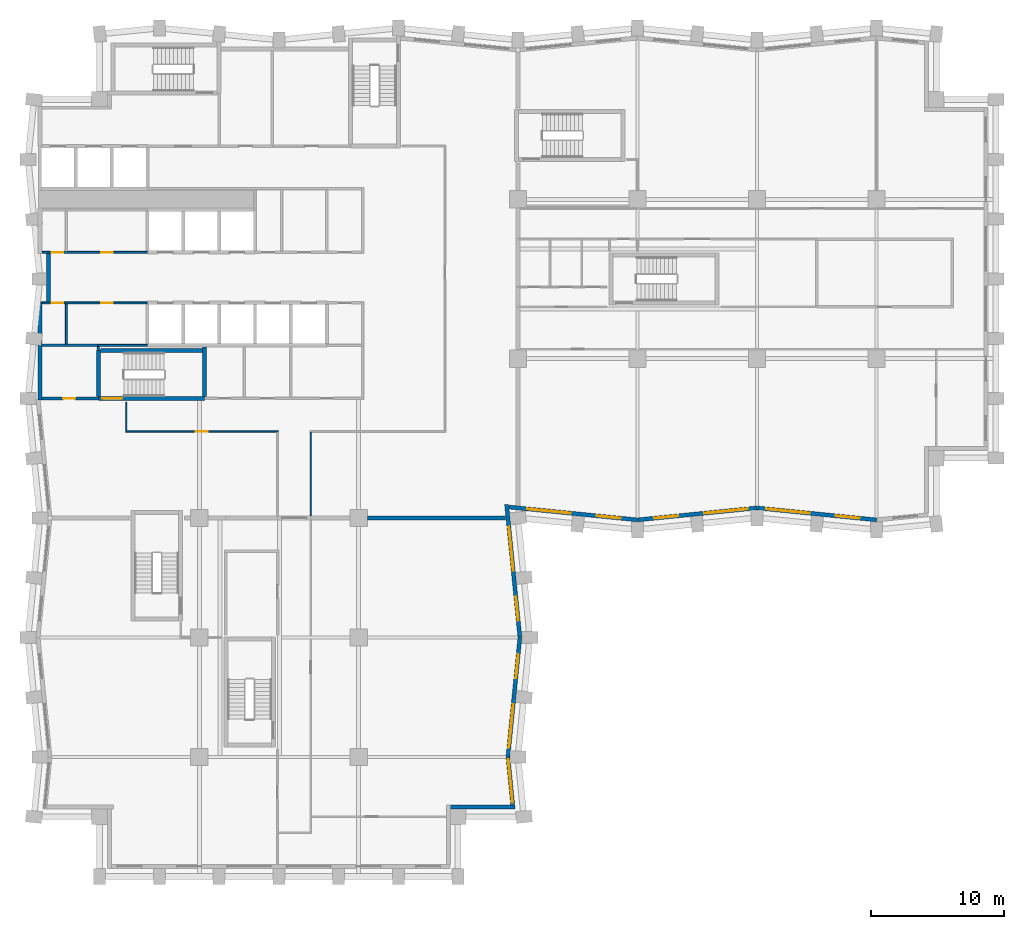
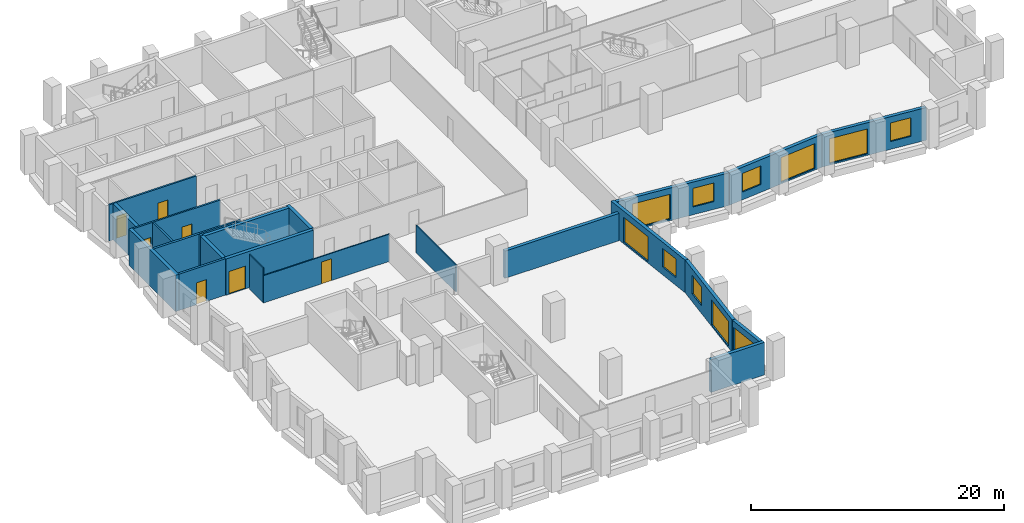
# One storey, part 4 of 11: 24 walls, 11 windows, 7 doors, 18 openings.
"""IFC4 building model written with IfcOpenShell, lengths in metres."""

from ifc_helpers import new_model, si_unit, direction, frame, frame_2d, origin, place, context, subcontext, project, spatial, rectangle, extrude, material, layer, layer_set, type_object, element, fill, save


model = new_model("IFC4")

# Units and contexts
model_context = context("Model", 3, precision=1e-05, world=origin(), true_north=direction((0.0, 1.0)))
body_context = subcontext(model_context, "Body", "Model", "MODEL_VIEW")
ifc_project = project(units=[si_unit("LENGTHUNIT", "METRE"), si_unit("AREAUNIT", "SQUARE_METRE"), si_unit("VOLUMEUNIT", "CUBIC_METRE"), si_unit("PLANEANGLEUNIT", "RADIAN"), si_unit("MASSUNIT", "GRAM", prefix="KILO")], contexts=[model_context])

# Site, building, storey
site_placement = place(None, origin())
site = spatial("IfcSite", under=ifc_project, at=site_placement, CompositionType="ELEMENT")
building_placement = place(site_placement, origin())
building = spatial("IfcBuilding", under=site, at=building_placement, Name="Brondeck Convention Tower", CompositionType="ELEMENT")
storey_placement = place(building_placement, frame((0.0, 0.0, 130.300048828125)))
storey = spatial("IfcBuildingStorey", under=building, at=storey_placement, Name="L31", CompositionType="ELEMENT", Elevation=130.300048828125)

# Walls
ifc_material_1 = material(Name="Concrete compartment wall C30/37", Category="concrete")
ifc_layer_1 = layer(ifc_material_1, 0.300048828125)
ifc_layer_set_1 = layer_set([ifc_layer_1], Name="Compartment wall 300")
wall_type_1 = type_object("IfcWallType", Name="Compartment wall 300", PredefinedType="PARTITIONING", material=ifc_layer_set_1)
wall_1_placement = place(storey_placement, frame((24.655029296875, 27.0, 0.0), z_axis=(0.0, 0.0, 1.0), x_axis=(1.0, 0.0, 0.0)))
element("IfcWall", 1, at=wall_1_placement, inside=storey, type_object=wall_type_1, Name="FLR-L31-W019", PredefinedType="PARTITIONING", context=body_context, shape_type="SweptSolid", body=[
    extrude(rectangle(XDim=10.42041015625, YDim=0.300048828125, at=frame_2d((5.210205078125, 0.0))), origin(), (0.0, 0.0, 1.0), 2.6298828125),
])
ifc_material_2 = material(Name="Concrete C70/85", Category="concrete")
ifc_layer_2 = layer(ifc_material_2, 0.300048828125)
ifc_layer_set_2 = layer_set([ifc_layer_2], Name="Core outer wall 300 Concrete C70/85")
wall_type_2 = type_object("IfcWallType", Name="Core outer wall 300 Concrete C70/85", PredefinedType="SHEAR", material=ifc_layer_set_2)
wall_2_placement = place(storey_placement, frame((0.0, 35.89990234375, 0.0), z_axis=(0.0, 0.0, 1.0), x_axis=(0.0, 1.0, 0.0)))
element("IfcWall", 2, at=wall_2_placement, inside=storey, type_object=wall_type_2, Name="L31 core wall", PredefinedType="SHEAR", context=body_context, shape_type="SweptSolid", body=[
    extrude(rectangle(XDim=7.375, YDim=0.300048828125, at=frame_2d((3.6875, 0.0))), origin(), (0.0, 0.0, 1.0), 3.5),
])
wall_3_placement = place(storey_placement, frame((0.64990234375, 43.27490234375, 0.0), z_axis=(0.0, 0.0, 1.0), x_axis=(0.0, 1.0, 0.0)))
element("IfcWall", 3, at=wall_3_placement, inside=storey, type_object=wall_type_2, Name="L31 core wall", PredefinedType="SHEAR", context=body_context, shape_type="SweptSolid", body=[
    extrude(rectangle(XDim=3.650146484375, YDim=0.300048828125, at=frame_2d((1.8251953125, 0.0))), origin(), (0.0, 0.0, 1.0), 3.5),
])
ifc_material_3 = material(Name="Fire-rated gypsum board partition")
ifc_layer_3 = layer(ifc_material_3, 0.14990234375)
ifc_layer_set_3 = layer_set([ifc_layer_3], Name="Core partition 150 EI 60")
wall_type_3 = type_object("IfcWallType", Name="Core partition 150 EI 60", PredefinedType="PARTITIONING", material=ifc_layer_set_3)
wall_4_placement = place(storey_placement, frame((4.39990234375, 40.0, 0.0), z_axis=(0.0, 0.0, 1.0), x_axis=(1.0, 0.0, 0.0)))
element("IfcWall", 4, at=wall_4_placement, inside=storey, type_object=wall_type_3, Name="L31 core wall", PredefinedType="PARTITIONING", context=body_context, shape_type="SweptSolid", body=[
    extrude(rectangle(XDim=3.7001953125, YDim=0.14990234375, at=frame_2d((1.85009765625, 0.0))), origin(), (0.0, 0.0, 1.0), 3.5),
])

# Wall, openings, doors
wall_5_placement = place(storey_placement, frame((0.14990234375, 43.199951171875, 0.0), z_axis=(0.0, 0.0, 1.0), x_axis=(1.0, 0.0, 0.0)))
wall_5 = element("IfcWall", 5, at=wall_5_placement, inside=storey, type_object=wall_type_3, Name="L31 core wall", PredefinedType="PARTITIONING", context=body_context, shape_type="SweptSolid", body=[
    extrude(rectangle(XDim=7.9501953125, YDim=0.14990234375, at=frame_2d((3.97509765625, 0.0))), origin(), (0.0, 0.0, 1.0), 3.5),
])
opening_1_placement = place(wall_5_placement, frame((0.72509765625, 0.0, 0.0)))
opening_1 = element("IfcOpeningElement", 6, at=opening_1_placement, cuts=wall_5, Name="Opening C18-11", PredefinedType="OPENING", context=body_context, shape_type="SweptSolid", body=[
    extrude(rectangle(XDim=0.89990234375, YDim=2.10009765625, at=frame_2d((0.449951171875, 1.050048828125))), frame((0.0, 0.0849609375, 0.0), z_axis=(0.0, -1.0, 0.0), x_axis=(1.0, 0.0, 0.0)), (0.0, 0.0, 1.0), 0.169921875),
])
opening_2_placement = place(wall_5_placement, frame((4.449951171875, 0.0, 0.0)))
opening_2 = element("IfcOpeningElement", 7, at=opening_2_placement, cuts=wall_5, Name="Opening C18-12", PredefinedType="OPENING", context=body_context, shape_type="SweptSolid", body=[
    extrude(rectangle(XDim=0.89990234375, YDim=2.10009765625, at=frame_2d((0.449951171875, 1.050048828125))), frame((0.0, 0.0849609375, 0.0), z_axis=(0.0, -1.0, 0.0), x_axis=(1.0, 0.0, 0.0)), (0.0, 0.0, 1.0), 0.169921875),
])
ifc_material_4 = material(Name="Steel fire door", Category="steel")
door_type_1 = type_object("IfcDoorType", Name="Room door 900x2100 EI 60", OperationType="NOTDEFINED", PredefinedType="DOOR", material=ifc_material_4)
door_1_placement = place(opening_1_placement, origin())
door_1 = element("IfcDoor", 8, at=door_1_placement, inside=storey, type_object=door_type_1, Name="L31 Room door FZ-S-0-1", OperationType="SINGLE_SWING_LEFT", OverallHeight=2.10009765625, OverallWidth=0.89990234375, PredefinedType="DOOR", context=body_context, shape_type="SweptSolid", body=[
    extrude(rectangle(XDim=0.89990234375, YDim=2.10009765625, at=frame_2d((0.449951171875, 1.050048828125))), frame((0.0, 0.02490234375, 0.0), z_axis=(0.0, -1.0, 0.0), x_axis=(1.0, 0.0, 0.0)), (0.0, 0.0, 1.0), 0.050048828125),
])
fill(opening_1, door_1)
door_2_placement = place(opening_2_placement, origin())
door_2 = element("IfcDoor", 9, at=door_2_placement, inside=storey, type_object=door_type_1, Name="L31 Room door FZ-S-0-2", OperationType="SINGLE_SWING_RIGHT", OverallHeight=2.10009765625, OverallWidth=0.89990234375, PredefinedType="DOOR", context=body_context, shape_type="SweptSolid", body=[
    extrude(rectangle(XDim=0.89990234375, YDim=2.10009765625, at=frame_2d((0.449951171875, 1.050048828125))), frame((0.0, 0.02490234375, 0.0), z_axis=(0.0, -1.0, 0.0), x_axis=(1.0, 0.0, 0.0)), (0.0, 0.0, 1.0), 0.050048828125),
])
fill(opening_2, door_2)

wall_6_placement = place(storey_placement, frame((0.14990234375, 47.0, 0.0), z_axis=(0.0, 0.0, 1.0), x_axis=(1.0, 0.0, 0.0)))
wall_6 = element("IfcWall", 10, at=wall_6_placement, inside=storey, type_object=wall_type_3, Name="L31 core wall", PredefinedType="PARTITIONING", context=body_context, shape_type="SweptSolid", body=[
    extrude(rectangle(XDim=7.9501953125, YDim=0.14990234375, at=frame_2d((3.97509765625, 0.0))), origin(), (0.0, 0.0, 1.0), 3.5),
])
opening_3_placement = place(wall_6_placement, frame((0.72509765625, 0.0, 0.0)))
opening_3 = element("IfcOpeningElement", 11, at=opening_3_placement, cuts=wall_6, Name="Opening C18-07", PredefinedType="OPENING", context=body_context, shape_type="SweptSolid", body=[
    extrude(rectangle(XDim=0.89990234375, YDim=2.10009765625, at=frame_2d((0.449951171875, 1.050048828125))), frame((0.0, 0.0849609375, 0.0), z_axis=(0.0, -1.0, 0.0), x_axis=(1.0, 0.0, 0.0)), (0.0, 0.0, 1.0), 0.169921875),
])
opening_4_placement = place(wall_6_placement, frame((4.449951171875, 0.0, 0.0)))
opening_4 = element("IfcOpeningElement", 12, at=opening_4_placement, cuts=wall_6, Name="Opening C18-08", PredefinedType="OPENING", context=body_context, shape_type="SweptSolid", body=[
    extrude(rectangle(XDim=0.89990234375, YDim=2.10009765625, at=frame_2d((0.449951171875, 1.050048828125))), frame((0.0, 0.0849609375, 0.0), z_axis=(0.0, -1.0, 0.0), x_axis=(1.0, 0.0, 0.0)), (0.0, 0.0, 1.0), 0.169921875),
])
door_3_placement = place(opening_3_placement, origin())
door_3 = element("IfcDoor", 13, at=door_3_placement, inside=storey, type_object=door_type_1, Name="L31 Room door FZ-N-0-1", OperationType="SINGLE_SWING_RIGHT", OverallHeight=2.10009765625, OverallWidth=0.89990234375, PredefinedType="DOOR", context=body_context, shape_type="SweptSolid", body=[
    extrude(rectangle(XDim=0.89990234375, YDim=2.10009765625, at=frame_2d((0.449951171875, 1.050048828125))), frame((0.0, 0.02490234375, 0.0), z_axis=(0.0, -1.0, 0.0), x_axis=(1.0, 0.0, 0.0)), (0.0, 0.0, 1.0), 0.050048828125),
])
fill(opening_3, door_3)
door_4_placement = place(opening_4_placement, origin())
door_4 = element("IfcDoor", 14, at=door_4_placement, inside=storey, type_object=door_type_1, Name="L31 Room door FZ-N-0-2", OperationType="SINGLE_SWING_LEFT", OverallHeight=2.10009765625, OverallWidth=0.89990234375, PredefinedType="DOOR", context=body_context, shape_type="SweptSolid", body=[
    extrude(rectangle(XDim=0.89990234375, YDim=2.10009765625, at=frame_2d((0.449951171875, 1.050048828125))), frame((0.0, 0.02490234375, 0.0), z_axis=(0.0, -1.0, 0.0), x_axis=(1.0, 0.0, 0.0)), (0.0, 0.0, 1.0), 0.050048828125),
])
fill(opening_4, door_4)

# Walls
wall_7_placement = place(storey_placement, frame((2.0, 40.10009765625, 0.0), z_axis=(0.0, 0.0, 1.0), x_axis=(0.0, 1.0, 0.0)))
element("IfcWall", 15, at=wall_7_placement, inside=storey, type_object=wall_type_3, Name="L31 core wall", PredefinedType="PARTITIONING", context=body_context, shape_type="SweptSolid", body=[
    extrude(rectangle(XDim=3.02490234375, YDim=0.14990234375, at=frame_2d((1.512451171875, 0.0))), origin(), (0.0, 0.0, 1.0), 3.5),
])
ifc_material_5 = material(Name="Precast concrete C50/60 bronze finish", Category="concrete")
ifc_layer_4 = layer(ifc_material_5, 0.070068359375, Name="Bronze precast facing")
ifc_material_6 = material(Name="Mineral wool")
ifc_layer_5 = layer(ifc_material_6, 0.159912109375, Name="Insulation")
ifc_material_7 = material(Name="Concrete C35/45", Category="concrete")
ifc_layer_6 = layer(ifc_material_7, 0.070068359375, Name="Backing")
ifc_layer_set_4 = layer_set([ifc_layer_4, ifc_layer_5, ifc_layer_6], Name="External infill wall, precast concrete C50/60 bronze facing")
wall_type_4 = type_object("IfcWallType", Name="External infill wall, precast concrete C50/60 bronze facing", PredefinedType="SOLIDWALL", material=ifc_layer_set_4)
wall_8_placement = place(storey_placement, frame((35.787109375, 5.25, 0.0), z_axis=(0.0, 0.0, 1.0), x_axis=(-1.0, 0.0, 0.0)))
element("IfcWall", 16, at=wall_8_placement, inside=storey, type_object=wall_type_4, Name="ENV-EW-L31-P0-NC-SEB0-02", PredefinedType="SOLIDWALL", context=body_context, shape_type="SweptSolid", body=[
    extrude(rectangle(XDim=4.88720703125, YDim=0.300048828125, at=frame_2d((2.443603515625, 0.0))), origin(), (0.0, 0.0, 1.0), 3.14990234375),
])

# Wall, opening, window
wall_9_placement = place(storey_placement, frame((35.244873046875, 9.014892578125, 0.0), z_axis=(0.0, 0.0, 1.0), x_axis=(0.099470401798, -0.995040521369, 0.0)))
wall_9 = element("IfcWall", 17, at=wall_9_placement, inside=storey, type_object=wall_type_4, Name="ENV-EW-L31-P0-B-E-04", PredefinedType="SOLIDWALL", context=body_context, shape_type="SweptSolid", body=[
    extrude(rectangle(XDim=3.627685546875, YDim=0.300048828125, at=frame_2d((1.81396484375, 0.0))), origin(), (0.0, 0.0, 1.0), 3.14990234375),
])
opening_5_placement = place(wall_9_placement, frame((0.177734375, 0.0, 0.14990234375)))
opening_5 = element("IfcOpeningElement", 18, at=opening_5_placement, cuts=wall_9, Name="Opening W9", PredefinedType="OPENING", context=body_context, shape_type="SweptSolid", body=[
    extrude(rectangle(XDim=3.300048828125, YDim=2.39990234375, at=frame_2d((1.64990234375, 1.199951171875))), frame((0.0, 0.159912109375, 0.0), z_axis=(0.0, -1.0, 0.0), x_axis=(1.0, 0.0, 0.0)), (0.0, 0.0, 1.0), 0.320068359375),
])
ifc_material_8 = material(Name="Bronze tinted double glazing", Category="glass")
window_type_1 = type_object("IfcWindowType", Name="Glazed flute window, bronze tinted", PartitioningType="SINGLE_PANEL", PredefinedType="WINDOW", material=ifc_material_8)
window_1_placement = place(opening_5_placement, origin())
window_1 = element("IfcWindow", 19, at=window_1_placement, inside=storey, type_object=window_type_1, Name="ENV-WN-L31-P0-B-E-04", OverallHeight=2.39990234375, OverallWidth=3.300048828125, PartitioningType="SINGLE_PANEL", PredefinedType="WINDOW", context=body_context, shape_type="SweptSolid", body=[
    extrude(rectangle(XDim=3.300048828125, YDim=2.39990234375, at=frame_2d((1.64990234375, 1.199951171875))), frame((0.0, 0.030029296875, 0.0), z_axis=(0.0, -1.0, 0.0), x_axis=(1.0, 0.0, 0.0)), (0.0, 0.0, 1.0), 0.06005859375),
])
fill(opening_5, window_1)

# Wall, openings, windows
wall_10_placement = place(storey_placement, frame((36.147705078125, 18.014892578125, 0.0), z_axis=(0.0, 0.0, 1.0), x_axis=(-0.099495688264, -0.995037993253, 0.0)))
wall_10 = element("IfcWall", 20, at=wall_10_placement, inside=storey, type_object=wall_type_4, Name="ENV-EW-L31-P0-B-E-03", PredefinedType="SOLIDWALL", context=body_context, shape_type="SweptSolid", body=[
    extrude(rectangle(XDim=9.030029296875, YDim=0.300048828125, at=frame_2d((4.51513671875, 0.0))), origin(), (0.0, 0.0, 1.0), 3.14990234375),
])
opening_6_placement = place(wall_10_placement, frame((1.30126953125, 0.0, 0.75)))
opening_6 = element("IfcOpeningElement", 21, at=opening_6_placement, cuts=wall_10, Name="Opening W10", PredefinedType="OPENING", context=body_context, shape_type="SweptSolid", body=[
    extrude(rectangle(XDim=1.800048828125, YDim=1.800048828125, at=frame_2d((0.89990234375, 0.89990234375))), frame((0.0, 0.159912109375, 0.0), z_axis=(0.0, -1.0, 0.0), x_axis=(1.0, 0.0, 0.0)), (0.0, 0.0, 1.0), 0.320068359375),
])
opening_7_placement = place(wall_10_placement, frame((5.073486328125, 0.0, 0.14990234375)))
opening_7 = element("IfcOpeningElement", 22, at=opening_7_placement, cuts=wall_10, Name="Opening W9", PredefinedType="OPENING", context=body_context, shape_type="SweptSolid", body=[
    extrude(rectangle(XDim=3.300048828125, YDim=2.39990234375, at=frame_2d((1.64990234375, 1.199951171875))), frame((0.0, 0.159912109375, 0.0), z_axis=(0.0, -1.0, 0.0), x_axis=(1.0, 0.0, 0.0)), (0.0, 0.0, 1.0), 0.320068359375),
])
window_2_placement = place(opening_7_placement, origin())
window_2 = element("IfcWindow", 23, at=window_2_placement, inside=storey, type_object=window_type_1, Name="ENV-WN-L31-P0-B-E-03", OverallHeight=2.39990234375, OverallWidth=3.300048828125, PartitioningType="SINGLE_PANEL", PredefinedType="WINDOW", context=body_context, shape_type="SweptSolid", body=[
    extrude(rectangle(XDim=3.300048828125, YDim=2.39990234375, at=frame_2d((1.64990234375, 1.199951171875))), frame((0.0, 0.030029296875, 0.0), z_axis=(0.0, -1.0, 0.0), x_axis=(1.0, 0.0, 0.0)), (0.0, 0.0, 1.0), 0.06005859375),
])
fill(opening_7, window_2)
window_type_2 = type_object("IfcWindowType", Name="Punched window, bronze tinted", PartitioningType="SINGLE_PANEL", PredefinedType="WINDOW", material=ifc_material_8)
window_3_placement = place(opening_6_placement, origin())
window_3 = element("IfcWindow", 24, at=window_3_placement, inside=storey, type_object=window_type_2, Name="ENV-WN-L31-P0-B-E-02", OverallHeight=1.800048828125, OverallWidth=1.800048828125, PartitioningType="SINGLE_PANEL", PredefinedType="WINDOW", context=body_context, shape_type="SweptSolid", body=[
    extrude(rectangle(XDim=1.800048828125, YDim=1.800048828125, at=frame_2d((0.89990234375, 0.89990234375))), frame((0.0, 0.030029296875, 0.0), z_axis=(0.0, -1.0, 0.0), x_axis=(1.0, 0.0, 0.0)), (0.0, 0.0, 1.0), 0.06005859375),
])
fill(opening_6, window_3)

wall_11_placement = place(storey_placement, frame((35.144287109375, 28.02001953125, 0.0), z_axis=(0.0, 0.0, 1.0), x_axis=(0.099503719021, -0.99503719021, 0.0)))
wall_11 = element("IfcWall", 25, at=wall_11_placement, inside=storey, type_object=wall_type_4, Name="ENV-EW-L31-P0-B-E-01", PredefinedType="SOLIDWALL", context=body_context, shape_type="SweptSolid", body=[
    extrude(rectangle(XDim=10.0400390625, YDim=0.300048828125, at=frame_2d((5.02001953125, 0.0))), origin(), (0.0, 0.0, 1.0), 3.14990234375),
])
opening_8_placement = place(wall_11_placement, frame((1.711181640625, 0.0, 0.14990234375)))
opening_8 = element("IfcOpeningElement", 26, at=opening_8_placement, cuts=wall_11, Name="Opening W9", PredefinedType="OPENING", context=body_context, shape_type="SweptSolid", body=[
    extrude(rectangle(XDim=3.300048828125, YDim=2.39990234375, at=frame_2d((1.64990234375, 1.199951171875))), frame((0.0, 0.159912109375, 0.0), z_axis=(0.0, -1.0, 0.0), x_axis=(1.0, 0.0, 0.0)), (0.0, 0.0, 1.0), 0.320068359375),
])
opening_9_placement = place(wall_11_placement, frame((6.983642578125, 0.0, 0.75)))
opening_9 = element("IfcOpeningElement", 27, at=opening_9_placement, cuts=wall_11, Name="Opening W10", PredefinedType="OPENING", context=body_context, shape_type="SweptSolid", body=[
    extrude(rectangle(XDim=1.800048828125, YDim=1.800048828125, at=frame_2d((0.89990234375, 0.89990234375))), frame((0.0, 0.159912109375, 0.0), z_axis=(0.0, -1.0, 0.0), x_axis=(1.0, 0.0, 0.0)), (0.0, 0.0, 1.0), 0.320068359375),
])
window_4_placement = place(opening_8_placement, origin())
window_4 = element("IfcWindow", 28, at=window_4_placement, inside=storey, type_object=window_type_1, Name="ENV-WN-L31-P0-B-E-00", OverallHeight=2.39990234375, OverallWidth=3.300048828125, PartitioningType="SINGLE_PANEL", PredefinedType="WINDOW", context=body_context, shape_type="SweptSolid", body=[
    extrude(rectangle(XDim=3.300048828125, YDim=2.39990234375, at=frame_2d((1.64990234375, 1.199951171875))), frame((0.0, 0.030029296875, 0.0), z_axis=(0.0, -1.0, 0.0), x_axis=(1.0, 0.0, 0.0)), (0.0, 0.0, 1.0), 0.06005859375),
])
fill(opening_8, window_4)
window_5_placement = place(opening_9_placement, origin())
window_5 = element("IfcWindow", 29, at=window_5_placement, inside=storey, type_object=window_type_2, Name="ENV-WN-L31-P0-B-E-01", OverallHeight=1.800048828125, OverallWidth=1.800048828125, PartitioningType="SINGLE_PANEL", PredefinedType="WINDOW", context=body_context, shape_type="SweptSolid", body=[
    extrude(rectangle(XDim=1.800048828125, YDim=1.800048828125, at=frame_2d((0.89990234375, 0.89990234375))), frame((0.0, 0.030029296875, 0.0), z_axis=(0.0, -1.0, 0.0), x_axis=(1.0, 0.0, 0.0)), (0.0, 0.0, 1.0), 0.06005859375),
])
fill(opening_9, window_5)

wall_12_placement = place(storey_placement, frame((45.014892578125, 26.852294921875, 0.0), z_axis=(0.0, 0.0, 1.0), x_axis=(-0.995037438546, 0.099501235631, 0.0)))
wall_12 = element("IfcWall", 30, at=wall_12_placement, inside=storey, type_object=wall_type_4, Name="ENV-EW-L31-P0-A-S-00", PredefinedType="SOLIDWALL", context=body_context, shape_type="SweptSolid", body=[
    extrude(rectangle(XDim=9.733642578125, YDim=0.300048828125, at=frame_2d((4.86669921875, 0.0))), origin(), (0.0, 0.0, 1.0), 3.14990234375),
])
opening_10_placement = place(wall_12_placement, frame((1.30126953125, 0.0, 0.75)))
opening_10 = element("IfcOpeningElement", 31, at=opening_10_placement, cuts=wall_12, Name="Opening W10", PredefinedType="OPENING", context=body_context, shape_type="SweptSolid", body=[
    extrude(rectangle(XDim=1.800048828125, YDim=1.800048828125, at=frame_2d((0.89990234375, 0.89990234375))), frame((0.0, 0.159912109375, 0.0), z_axis=(0.0, -1.0, 0.0), x_axis=(1.0, 0.0, 0.0)), (0.0, 0.0, 1.0), 0.320068359375),
])
opening_11_placement = place(wall_12_placement, frame((5.073486328125, 0.0, 0.14990234375)))
opening_11 = element("IfcOpeningElement", 32, at=opening_11_placement, cuts=wall_12, Name="Opening W9", PredefinedType="OPENING", context=body_context, shape_type="SweptSolid", body=[
    extrude(rectangle(XDim=3.300048828125, YDim=2.39990234375, at=frame_2d((1.64990234375, 1.199951171875))), frame((0.0, 0.159912109375, 0.0), z_axis=(0.0, -1.0, 0.0), x_axis=(1.0, 0.0, 0.0)), (0.0, 0.0, 1.0), 0.320068359375),
])
window_6_placement = place(opening_11_placement, origin())
window_6 = element("IfcWindow", 33, at=window_6_placement, inside=storey, type_object=window_type_1, Name="ENV-WN-L31-P0-A-S-00", OverallHeight=2.39990234375, OverallWidth=3.300048828125, PartitioningType="SINGLE_PANEL", PredefinedType="WINDOW", context=body_context, shape_type="SweptSolid", body=[
    extrude(rectangle(XDim=3.300048828125, YDim=2.39990234375, at=frame_2d((1.64990234375, 1.199951171875))), frame((0.0, 0.030029296875, 0.0), z_axis=(0.0, -1.0, 0.0), x_axis=(1.0, 0.0, 0.0)), (0.0, 0.0, 1.0), 0.06005859375),
])
fill(opening_11, window_6)
window_7_placement = place(opening_10_placement, origin())
window_7 = element("IfcWindow", 34, at=window_7_placement, inside=storey, type_object=window_type_2, Name="ENV-WN-L31-P0-A-S-01", OverallHeight=1.800048828125, OverallWidth=1.800048828125, PartitioningType="SINGLE_PANEL", PredefinedType="WINDOW", context=body_context, shape_type="SweptSolid", body=[
    extrude(rectangle(XDim=1.800048828125, YDim=1.800048828125, at=frame_2d((0.89990234375, 0.89990234375))), frame((0.0, 0.030029296875, 0.0), z_axis=(0.0, -1.0, 0.0), x_axis=(1.0, 0.0, 0.0)), (0.0, 0.0, 1.0), 0.06005859375),
])
fill(opening_10, window_7)

wall_13_placement = place(storey_placement, frame((54.014892578125, 27.755126953125, 0.0), z_axis=(0.0, 0.0, 1.0), x_axis=(-0.995037993253, -0.099495688264, 0.0)))
wall_13 = element("IfcWall", 35, at=wall_13_placement, inside=storey, type_object=wall_type_4, Name="ENV-EW-L31-P0-A-S-02", PredefinedType="SOLIDWALL", context=body_context, shape_type="SweptSolid", body=[
    extrude(rectangle(XDim=9.030029296875, YDim=0.300048828125, at=frame_2d((4.51513671875, 0.0))), origin(), (0.0, 0.0, 1.0), 3.14990234375),
])
opening_12_placement = place(wall_13_placement, frame((0.701171875, 0.0, 0.14990234375)))
opening_12 = element("IfcOpeningElement", 36, at=opening_12_placement, cuts=wall_13, Name="Opening W9", PredefinedType="OPENING", context=body_context, shape_type="SweptSolid", body=[
    extrude(rectangle(XDim=3.300048828125, YDim=2.39990234375, at=frame_2d((1.64990234375, 1.199951171875))), frame((0.0, 0.159912109375, 0.0), z_axis=(0.0, -1.0, 0.0), x_axis=(1.0, 0.0, 0.0)), (0.0, 0.0, 1.0), 0.320068359375),
])
opening_13_placement = place(wall_13_placement, frame((5.9736328125, 0.0, 0.75)))
opening_13 = element("IfcOpeningElement", 37, at=opening_13_placement, cuts=wall_13, Name="Opening W10", PredefinedType="OPENING", context=body_context, shape_type="SweptSolid", body=[
    extrude(rectangle(XDim=1.800048828125, YDim=1.800048828125, at=frame_2d((0.89990234375, 0.89990234375))), frame((0.0, 0.159912109375, 0.0), z_axis=(0.0, -1.0, 0.0), x_axis=(1.0, 0.0, 0.0)), (0.0, 0.0, 1.0), 0.320068359375),
])
window_8_placement = place(opening_12_placement, origin())
window_8 = element("IfcWindow", 38, at=window_8_placement, inside=storey, type_object=window_type_1, Name="ENV-WN-L31-P0-A-S-03", OverallHeight=2.39990234375, OverallWidth=3.300048828125, PartitioningType="SINGLE_PANEL", PredefinedType="WINDOW", context=body_context, shape_type="SweptSolid", body=[
    extrude(rectangle(XDim=3.300048828125, YDim=2.39990234375, at=frame_2d((1.64990234375, 1.199951171875))), frame((0.0, 0.030029296875, 0.0), z_axis=(0.0, -1.0, 0.0), x_axis=(1.0, 0.0, 0.0)), (0.0, 0.0, 1.0), 0.06005859375),
])
fill(opening_12, window_8)
window_9_placement = place(opening_13_placement, origin())
window_9 = element("IfcWindow", 39, at=window_9_placement, inside=storey, type_object=window_type_2, Name="ENV-WN-L31-P0-A-S-02", OverallHeight=1.800048828125, OverallWidth=1.800048828125, PartitioningType="SINGLE_PANEL", PredefinedType="WINDOW", context=body_context, shape_type="SweptSolid", body=[
    extrude(rectangle(XDim=1.800048828125, YDim=1.800048828125, at=frame_2d((0.89990234375, 0.89990234375))), frame((0.0, 0.030029296875, 0.0), z_axis=(0.0, -1.0, 0.0), x_axis=(1.0, 0.0, 0.0)), (0.0, 0.0, 1.0), 0.06005859375),
])
fill(opening_13, window_9)

wall_14_placement = place(storey_placement, frame((63.014892578125, 26.852294921875, 0.0), z_axis=(0.0, 0.0, 1.0), x_axis=(-0.995037993253, 0.099495688264, 0.0)))
wall_14 = element("IfcWall", 40, at=wall_14_placement, inside=storey, type_object=wall_type_4, Name="ENV-EW-L31-P0-A-S-04", PredefinedType="SOLIDWALL", context=body_context, shape_type="SweptSolid", body=[
    extrude(rectangle(XDim=9.030029296875, YDim=0.300048828125, at=frame_2d((4.51513671875, 0.0))), origin(), (0.0, 0.0, 1.0), 3.14990234375),
])
opening_14_placement = place(wall_14_placement, frame((1.30126953125, 0.0, 0.75)))
opening_14 = element("IfcOpeningElement", 41, at=opening_14_placement, cuts=wall_14, Name="Opening W10", PredefinedType="OPENING", context=body_context, shape_type="SweptSolid", body=[
    extrude(rectangle(XDim=1.800048828125, YDim=1.800048828125, at=frame_2d((0.89990234375, 0.89990234375))), frame((0.0, 0.159912109375, 0.0), z_axis=(0.0, -1.0, 0.0), x_axis=(1.0, 0.0, 0.0)), (0.0, 0.0, 1.0), 0.320068359375),
])
opening_15_placement = place(wall_14_placement, frame((5.073486328125, 0.0, 0.14990234375)))
opening_15 = element("IfcOpeningElement", 42, at=opening_15_placement, cuts=wall_14, Name="Opening W9", PredefinedType="OPENING", context=body_context, shape_type="SweptSolid", body=[
    extrude(rectangle(XDim=3.300048828125, YDim=2.39990234375, at=frame_2d((1.64990234375, 1.199951171875))), frame((0.0, 0.159912109375, 0.0), z_axis=(0.0, -1.0, 0.0), x_axis=(1.0, 0.0, 0.0)), (0.0, 0.0, 1.0), 0.320068359375),
])
window_10_placement = place(opening_15_placement, origin())
window_10 = element("IfcWindow", 43, at=window_10_placement, inside=storey, type_object=window_type_1, Name="ENV-WN-L31-P0-A-S-04", OverallHeight=2.39990234375, OverallWidth=3.300048828125, PartitioningType="SINGLE_PANEL", PredefinedType="WINDOW", context=body_context, shape_type="SweptSolid", body=[
    extrude(rectangle(XDim=3.300048828125, YDim=2.39990234375, at=frame_2d((1.64990234375, 1.199951171875))), frame((0.0, 0.030029296875, 0.0), z_axis=(0.0, -1.0, 0.0), x_axis=(1.0, 0.0, 0.0)), (0.0, 0.0, 1.0), 0.06005859375),
])
fill(opening_15, window_10)
window_11_placement = place(opening_14_placement, origin())
window_11 = element("IfcWindow", 44, at=window_11_placement, inside=storey, type_object=window_type_2, Name="ENV-WN-L31-P0-A-S-05", OverallHeight=1.800048828125, OverallWidth=1.800048828125, PartitioningType="SINGLE_PANEL", PredefinedType="WINDOW", context=body_context, shape_type="SweptSolid", body=[
    extrude(rectangle(XDim=1.800048828125, YDim=1.800048828125, at=frame_2d((0.89990234375, 0.89990234375))), frame((0.0, 0.030029296875, 0.0), z_axis=(0.0, -1.0, 0.0), x_axis=(1.0, 0.0, 0.0)), (0.0, 0.0, 1.0), 0.06005859375),
])
fill(opening_14, window_11)

# Wall, opening, door
ifc_layer_7 = layer(ifc_material_3, 0.199951171875)
ifc_layer_set_5 = layer_set([ifc_layer_7], Name="Riser wall 200 EI 120")
wall_type_5 = type_object("IfcWallType", Name="Riser wall 200 EI 120", PredefinedType="PARTITIONING", material=ifc_layer_set_5)
wall_15_placement = place(storey_placement, frame((0.14990234375, 36.0, 0.0), z_axis=(0.0, 0.0, 1.0), x_axis=(1.0, 0.0, 0.0)))
wall_15 = element("IfcWall", 45, at=wall_15_placement, inside=storey, type_object=wall_type_5, Name="L31 core wall", PredefinedType="PARTITIONING", context=body_context, shape_type="SweptSolid", body=[
    extrude(rectangle(XDim=4.25, YDim=0.199951171875, at=frame_2d((2.125, 0.0))), origin(), (0.0, 0.0, 1.0), 3.5),
])
opening_16_placement = place(wall_15_placement, frame((1.60009765625, 0.0, 0.0)))
opening_16 = element("IfcOpeningElement", 46, at=opening_16_placement, cuts=wall_15, Name="Opening C18-06", PredefinedType="OPENING", context=body_context, shape_type="SweptSolid", body=[
    extrude(rectangle(XDim=0.89990234375, YDim=2.10009765625, at=frame_2d((0.449951171875, 1.050048828125))), frame((0.0, 0.10986328125, 0.0), z_axis=(0.0, -1.0, 0.0), x_axis=(1.0, 0.0, 0.0)), (0.0, 0.0, 1.0), 0.219970703125),
])
door_type_2 = type_object("IfcDoorType", Name="Riser door 900x2100 EI 120", OperationType="NOTDEFINED", PredefinedType="DOOR", material=ifc_material_4)
door_5_placement = place(opening_16_placement, origin())
door_5 = element("IfcDoor", 47, at=door_5_placement, inside=storey, type_object=door_type_2, Name="L31 Riser door FRW-1", OperationType="SINGLE_SWING_LEFT", OverallHeight=2.10009765625, OverallWidth=0.89990234375, PredefinedType="DOOR", context=body_context, shape_type="SweptSolid", body=[
    extrude(rectangle(XDim=0.89990234375, YDim=2.10009765625, at=frame_2d((0.449951171875, 1.050048828125))), frame((0.0, 0.02490234375, 0.0), z_axis=(0.0, -1.0, 0.0), x_axis=(1.0, 0.0, 0.0)), (0.0, 0.0, 1.0), 0.050048828125),
])
fill(opening_16, door_5)

# Walls
wall_16_placement = place(storey_placement, frame((0.14990234375, 40.0, 0.0), z_axis=(0.0, 0.0, 1.0), x_axis=(1.0, 0.0, 0.0)))
element("IfcWall", 48, at=wall_16_placement, inside=storey, type_object=wall_type_5, Name="L31 core wall", PredefinedType="PARTITIONING", context=body_context, shape_type="SweptSolid", body=[
    extrude(rectangle(XDim=4.25, YDim=0.199951171875, at=frame_2d((2.125, 0.0))), origin(), (0.0, 0.0, 1.0), 3.5),
])
wall_17_placement = place(storey_placement, frame((4.39990234375, 39.60009765625, 0.0), z_axis=(0.0, 0.0, 1.0), x_axis=(0.0, 1.0, 0.0)))
element("IfcWall", 49, at=wall_17_placement, inside=storey, type_object=wall_type_5, Name="L31 core wall", PredefinedType="PARTITIONING", context=body_context, shape_type="SweptSolid", body=[
    extrude(rectangle(XDim=0.2998046875, YDim=0.199951171875, at=frame_2d((0.14990234375, 0.0))), origin(), (0.0, 0.0, 1.0), 3.5),
])
ifc_material_9 = material(Name="Gypsum board partition on steel studs", Category="steel")
ifc_layer_8 = layer(ifc_material_9, 0.10009765625)
ifc_layer_set_6 = layer_set([ifc_layer_8], Name="Room partition 100")
wall_type_6 = type_object("IfcWallType", Name="Room partition 100", PredefinedType="PARTITIONING", material=ifc_layer_set_6)
wall_18_placement = place(storey_placement, frame((20.39990234375, 33.449951171875, 0.0), z_axis=(0.0, 0.0, 1.0), x_axis=(0.0, -1.0, 0.0)))
element("IfcWall", 50, at=wall_18_placement, inside=storey, type_object=wall_type_6, Name="FLR-L31-W022", PredefinedType="PARTITIONING", context=body_context, shape_type="SweptSolid", body=[
    extrude(rectangle(XDim=6.280029296875, YDim=0.10009765625, at=frame_2d((3.14013671875, 0.0))), origin(), (0.0, 0.0, 1.0), 2.6298828125),
])

# Wall, opening, door
wall_19_placement = place(storey_placement, frame((17.949951171875, 33.5, 0.0), z_axis=(0.0, 0.0, 1.0), x_axis=(-1.0, 0.0, 0.0)))
wall_19 = element("IfcWall", 51, at=wall_19_placement, inside=storey, type_object=wall_type_6, Name="FLR-L31-W023", PredefinedType="PARTITIONING", context=body_context, shape_type="SweptSolid", body=[
    extrude(rectangle(XDim=11.5, YDim=0.10009765625, at=frame_2d((5.75, 0.0))), origin(), (0.0, 0.0, 1.0), 2.6298828125),
])
opening_17_placement = place(wall_19_placement, frame((5.300048828125, 0.0, 0.0)))
opening_17 = element("IfcOpeningElement", 52, at=opening_17_placement, cuts=wall_19, Name="Opening OF-E-016", PredefinedType="OPENING", context=body_context, shape_type="SweptSolid", body=[
    extrude(rectangle(XDim=0.89990234375, YDim=2.10009765625, at=frame_2d((0.449951171875, 1.050048828125))), frame((0.0, 0.06005859375, 0.0), z_axis=(0.0, -1.0, 0.0), x_axis=(1.0, 0.0, 0.0)), (0.0, 0.0, 1.0), 0.1201171875),
])
ifc_material_10 = material(Name="Solid timber door leaf", Category="wood")
door_type_3 = type_object("IfcDoorType", Name="Single door 900", OperationType="NOTDEFINED", PredefinedType="DOOR", material=ifc_material_10)
door_6_placement = place(opening_17_placement, origin())
door_6 = element("IfcDoor", 53, at=door_6_placement, inside=storey, type_object=door_type_3, Name="Door OF-E-016", OperationType="SINGLE_SWING_LEFT", OverallHeight=2.10009765625, OverallWidth=0.89990234375, PredefinedType="DOOR", context=body_context, shape_type="SweptSolid", body=[
    extrude(rectangle(XDim=0.89990234375, YDim=2.10009765625, at=frame_2d((0.449951171875, 1.050048828125))), frame((0.0, 0.02490234375, 0.0), z_axis=(0.0, -1.0, 0.0), x_axis=(1.0, 0.0, 0.0)), (0.0, 0.0, 1.0), 0.050048828125),
])
fill(opening_17, door_6)

# Wall
wall_20_placement = place(storey_placement, frame((6.5, 33.550048828125, 0.0), z_axis=(0.0, 0.0, 1.0), x_axis=(0.0, 1.0, 0.0)))
element("IfcWall", 54, at=wall_20_placement, inside=storey, type_object=wall_type_6, Name="FLR-L31-W025", PredefinedType="PARTITIONING", context=body_context, shape_type="SweptSolid", body=[
    extrude(rectangle(XDim=2.14990234375, YDim=0.10009765625, at=frame_2d((1.074951171875, 0.0))), origin(), (0.0, 0.0, 1.0), 3.329833984375),
])

# Wall, opening, door
ifc_layer_9 = layer(ifc_material_2, 0.300048828125)
ifc_layer_set_7 = layer_set([ifc_layer_9], Name="Stair enclosure wall 300 Concrete C70/85")
wall_type_7 = type_object("IfcWallType", Name="Stair enclosure wall 300 Concrete C70/85", PredefinedType="SHEAR", material=ifc_layer_set_7)
wall_21_placement = place(storey_placement, frame((4.39990234375, 36.0, 0.0), z_axis=(0.0, 0.0, 1.0), x_axis=(1.0, 0.0, 0.0)))
wall_21 = element("IfcWall", 55, at=wall_21_placement, inside=storey, type_object=wall_type_7, Name="L31 core wall", PredefinedType="SHEAR", context=body_context, shape_type="SweptSolid", body=[
    extrude(rectangle(XDim=8.0, YDim=0.300048828125, at=frame_2d((4.0, 0.0))), origin(), (0.0, 0.0, 1.0), 3.5),
])
opening_18_placement = place(wall_21_placement, frame((0.300048828125, 0.0, 0.0)))
opening_18 = element("IfcOpeningElement", 56, at=opening_18_placement, cuts=wall_21, Name="Opening C18-16", PredefinedType="OPENING", context=body_context, shape_type="SweptSolid", body=[
    extrude(rectangle(XDim=1.5, YDim=2.199951171875, at=frame_2d((0.75, 1.10009765625))), frame((0.0, 0.159912109375, 0.0), z_axis=(0.0, -1.0, 0.0), x_axis=(1.0, 0.0, 0.0)), (0.0, 0.0, 1.0), 0.320068359375),
])
door_type_4 = type_object("IfcDoorType", Name="Stair door 1500x2200 EI 90", OperationType="NOTDEFINED", PredefinedType="DOOR", material=ifc_material_4)
door_7_placement = place(opening_18_placement, origin())
door_7 = element("IfcDoor", 57, at=door_7_placement, inside=storey, type_object=door_type_4, Name="L31 Stair door ST-1", OperationType="SINGLE_SWING_RIGHT", OverallHeight=2.199951171875, OverallWidth=1.5, PredefinedType="DOOR", context=body_context, shape_type="SweptSolid", body=[
    extrude(rectangle(XDim=1.5, YDim=2.199951171875, at=frame_2d((0.75, 1.10009765625))), frame((0.0, 0.02490234375, 0.0), z_axis=(0.0, -1.0, 0.0), x_axis=(1.0, 0.0, 0.0)), (0.0, 0.0, 1.0), 0.050048828125),
])
fill(opening_18, door_7)

# Walls
wall_22_placement = place(storey_placement, frame((4.550048828125, 39.60009765625, 0.0), z_axis=(0.0, 0.0, 1.0), x_axis=(1.0, 0.0, 0.0)))
element("IfcWall", 58, at=wall_22_placement, inside=storey, type_object=wall_type_7, Name="L31 core wall", PredefinedType="SHEAR", context=body_context, shape_type="SweptSolid", body=[
    extrude(rectangle(XDim=7.699951171875, YDim=0.300048828125, at=frame_2d((3.85009765625, 0.0))), origin(), (0.0, 0.0, 1.0), 3.5),
])
wall_23_placement = place(storey_placement, frame((4.39990234375, 36.14990234375, 0.0), z_axis=(0.0, 0.0, 1.0), x_axis=(0.0, 1.0, 0.0)))
element("IfcWall", 59, at=wall_23_placement, inside=storey, type_object=wall_type_7, Name="L31 core wall", PredefinedType="SHEAR", context=body_context, shape_type="SweptSolid", body=[
    extrude(rectangle(XDim=3.4501953125, YDim=0.300048828125, at=frame_2d((1.72509765625, 0.0))), origin(), (0.0, 0.0, 1.0), 3.5),
])
wall_24_placement = place(storey_placement, frame((12.39990234375, 36.14990234375, 0.0), z_axis=(0.0, 0.0, 1.0), x_axis=(0.0, 1.0, 0.0)))
element("IfcWall", 60, at=wall_24_placement, inside=storey, type_object=wall_type_7, Name="L31 core wall", PredefinedType="SHEAR", context=body_context, shape_type="SweptSolid", body=[
    extrude(rectangle(XDim=3.72509765625, YDim=0.300048828125, at=frame_2d((1.862548828125, 0.0))), origin(), (0.0, 0.0, 1.0), 3.5),
])

save(model, "model.ifc")
